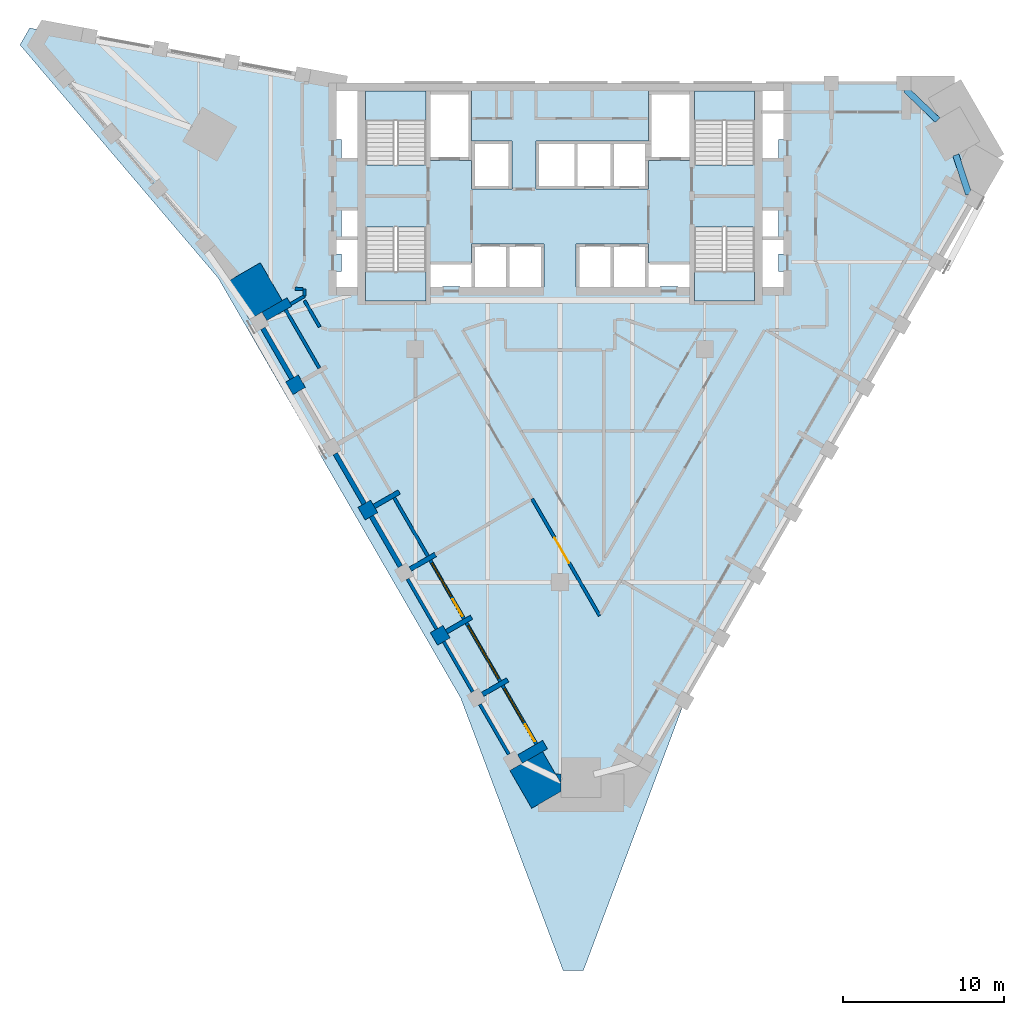
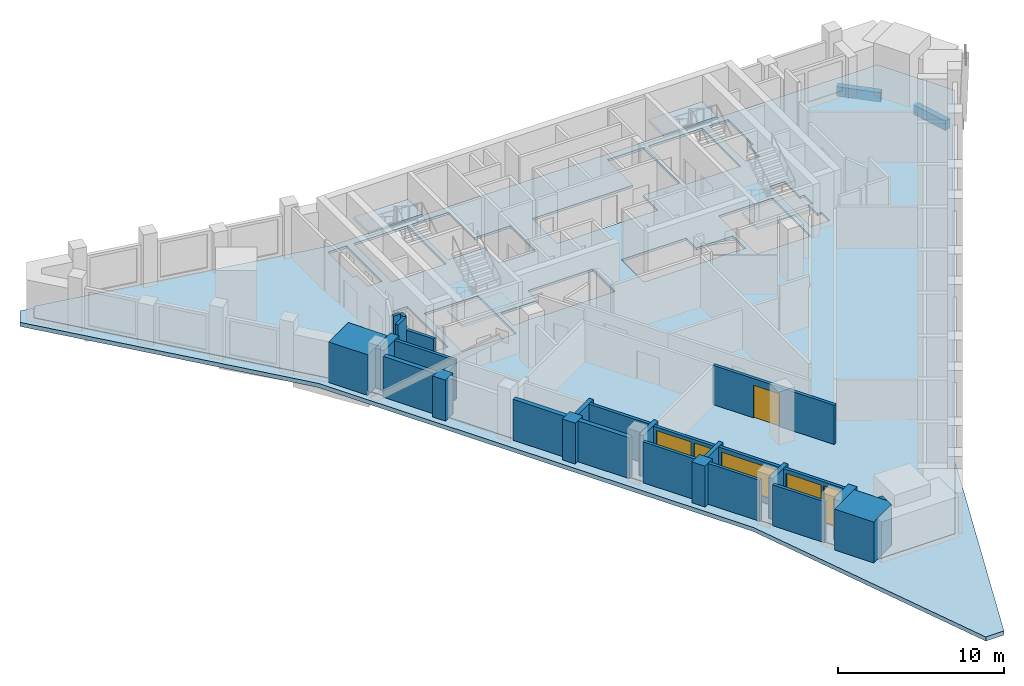
# One storey, part 2 of 9: 28 walls, 6 slabs, 3 doors, 3 windows, 2 beams, 6 openings, 4 elements without a shape of their own.
"""IFC4 building model written with IfcOpenShell, lengths in metres."""

from ifc_helpers import new_model, si_unit, direction, frame, frame_2d, origin, origin_2d, place, context, subcontext, project, spatial, polyline, rectangle, outline, extrude, material, layer, layer_set, material_profile, profile_set, type_object, element, fill, aggregate, save


model = new_model("IFC4")

# Units and contexts
model_context = context("Model", 3, precision=1e-05, world=origin(), true_north=direction((0.0, 1.0)))
body_context = subcontext(model_context, "Body", "Model", "MODEL_VIEW")
ifc_project = project(units=[si_unit("LENGTHUNIT", "METRE"), si_unit("AREAUNIT", "SQUARE_METRE"), si_unit("VOLUMEUNIT", "CUBIC_METRE"), si_unit("PLANEANGLEUNIT", "RADIAN"), si_unit("MASSUNIT", "GRAM", prefix="KILO")], contexts=[model_context])

# Site, building, storey
site_placement = place(None, origin())
site = spatial("IfcSite", under=ifc_project, at=site_placement, CompositionType="ELEMENT")
building_placement = place(site_placement, origin())
building = spatial("IfcBuilding", under=site, at=building_placement, Name="Calabash Gate Tower", CompositionType="ELEMENT")
storey_placement = place(building_placement, frame((0.0, 0.0, 196.39990234375)))
storey = spatial("IfcBuildingStorey", under=building, at=storey_placement, Name="L46", CompositionType="ELEMENT", Elevation=196.39990234375)

# Beams
ifc_material_1 = material(Name="Concrete C50/60", Category="concrete")
ifc_material_profile = material_profile(ifc_material_1, rectangle(XDim=0.39990234375, YDim=0.699951171875, at=origin_2d()))
ifc_profile_set = profile_set([ifc_material_profile], Name="Concrete C50/60")
beam_type = type_object("IfcBeamType", Name="Edge beam RC 400x700 Concrete C50/60", PredefinedType="BEAM", material=ifc_profile_set)
beam_1_placement = place(storey_placement, frame((25.419921875, 12.14111328125, -0.52001953125), z_axis=(-0.310682629093, 0.950513705309, 0.0), x_axis=(-0.950513705309, -0.310682629093, 0.0)))
element("IfcBeam", 1, at=beam_1_placement, inside=storey, type_object=beam_type, Name="Edge beam L46 11", PredefinedType="BEAM", context=body_context, shape_type="SweptSolid", body=[
    extrude(rectangle(XDim=0.39990234375, YDim=0.699951171875, at=origin_2d()), origin(), (0.0, 0.0, 1.0), 2.56494140625),
])
beam_2_placement = place(storey_placement, frame((23.488037109375, 16.75390625, -0.52001953125), z_axis=(-0.722273899938, 0.691607123639, 0.0), x_axis=(-0.691607123639, -0.722273899938, 0.0)))
element("IfcBeam", 2, at=beam_2_placement, inside=storey, type_object=beam_type, Name="Edge beam L46 12", PredefinedType="BEAM", context=body_context, shape_type="SweptSolid", body=[
    extrude(rectangle(XDim=0.39990234375, YDim=0.699951171875, at=origin_2d()), origin(), (0.0, 0.0, 1.0), 2.738525390625),
])

# Slabs
ifc_material_2 = material(Name="Concrete C40/50", Category="concrete")
ifc_layer_1 = layer(ifc_material_2, 0.169921875)
ifc_layer_set_1 = layer_set([ifc_layer_1], Name="Composite floor slab 170 Concrete C40/50")
slab_type_1 = type_object("IfcSlabType", Name="Composite floor slab 170 Concrete C40/50", PredefinedType="FLOOR", material=ifc_layer_set_1)
slab_1_placement = place(storey_placement, frame((0.0, 0.0, -0.169921875)))
element("IfcSlab", 3, at=slab_1_placement, inside=storey, type_object=slab_type_1, Name="Floor slab L46", PredefinedType="FLOOR", context=body_context, shape_type="SweptSolid", body=[
    extrude(outline(polyline([(3.99267578125, -25.83984375), (-1.372314453125, -25.83984375), (-20.291015625, 6.92822265625), (-32.620361328125, 21.43115234375), (-32.015625, 22.478515625), (-13.291015625, 19.052490234375), (24.54638671875, 19.052490234375), (27.22900390625, 14.40625), (3.99267578125, -25.83984375)]), holes=[polyline([(-7.324951171875, 6.3525390625), (-7.324951171875, 6.402587890625), (-6.22509765625, 6.402587890625), (-6.22509765625, 6.3525390625), (-5.5, 6.3525390625), (-3.25, 6.3525390625), (-1.0, 6.3525390625), (-1.0, 9.052490234375), (-3.25, 9.052490234375), (-5.5, 9.052490234375), (-5.5, 7.8525390625), (-8.050048828125, 7.8525390625), (-8.050048828125, 6.3525390625), (-7.324951171875, 6.3525390625)]), polyline([(8.050048828125, 6.3525390625), (8.050048828125, 7.8525390625), (5.5, 7.8525390625), (5.5, 9.052490234375), (3.25, 9.052490234375), (1.0, 9.052490234375), (1.0, 6.3525390625), (3.25, 6.3525390625), (5.5, 6.3525390625), (6.22509765625, 6.3525390625), (6.22509765625, 6.402587890625), (7.324951171875, 6.402587890625), (7.324951171875, 6.3525390625), (8.050048828125, 6.3525390625)]), polyline([(-8.050048828125, 18.552490234375), (-8.050048828125, 14.252685546875), (-5.5, 14.252685546875), (-5.5, 12.45263671875), (-3.0, 12.45263671875), (-3.0, 15.45263671875), (-5.5, 15.45263671875), (-5.5, 18.552490234375), (-8.050048828125, 18.552490234375)]), polyline([(5.5, 14.252685546875), (8.050048828125, 14.252685546875), (8.050048828125, 18.552490234375), (5.5, 18.552490234375), (5.5, 15.45263671875), (3.25, 15.45263671875), (1.0, 15.45263671875), (-1.5, 15.45263671875), (-1.5, 12.45263671875), (1.0, 12.45263671875), (3.25, 12.45263671875), (5.5, 12.45263671875), (5.5, 14.252685546875)]), polyline([(-12.10009765625, 13.95263671875), (-8.35009765625, 13.95263671875), (-8.35009765625, 18.552490234375), (-12.10009765625, 18.552490234375), (-12.10009765625, 13.95263671875)]), polyline([(-8.35009765625, 5.502685546875), (-8.35009765625, 10.1025390625), (-12.10009765625, 10.1025390625), (-12.10009765625, 5.502685546875), (-8.35009765625, 5.502685546875)]), polyline([(12.10009765625, 18.552490234375), (8.35009765625, 18.552490234375), (8.35009765625, 13.95263671875), (12.10009765625, 13.95263671875), (12.10009765625, 18.552490234375)]), polyline([(8.35009765625, 10.1025390625), (8.35009765625, 5.502685546875), (12.10009765625, 5.502685546875), (12.10009765625, 10.1025390625), (8.35009765625, 10.1025390625)]), polyline([(-13.89990234375, 6.3525390625), (-12.60009765625, 6.3525390625), (-12.60009765625, 9.402587890625), (-12.60009765625, 11.232666015625), (-13.60009765625, 11.232666015625), (-13.60009765625, 9.402587890625), (-13.89990234375, 9.402587890625), (-13.89990234375, 8.427490234375), (-13.60009765625, 8.427490234375), (-13.60009765625, 7.32763671875), (-13.89990234375, 7.32763671875), (-13.89990234375, 6.3525390625)]), polyline([(-13.60009765625, 14.28271484375), (-12.60009765625, 14.28271484375), (-12.60009765625, 18.552490234375), (-13.89990234375, 18.552490234375), (-13.89990234375, 15.550048828125), (-13.60009765625, 15.550048828125), (-13.60009765625, 14.28271484375)]), polyline([(13.60009765625, 7.32763671875), (13.60009765625, 8.427490234375), (13.89990234375, 8.427490234375), (13.89990234375, 9.402587890625), (13.60009765625, 9.402587890625), (13.60009765625, 11.232666015625), (12.60009765625, 11.232666015625), (12.60009765625, 9.402587890625), (12.60009765625, 6.3525390625), (13.89990234375, 6.3525390625), (13.89990234375, 7.32763671875), (13.60009765625, 7.32763671875)]), polyline([(12.60009765625, 14.28271484375), (13.60009765625, 14.28271484375), (13.60009765625, 15.550048828125), (13.89990234375, 15.550048828125), (13.89990234375, 18.552490234375), (12.60009765625, 18.552490234375), (12.60009765625, 14.28271484375)])]), origin(), (0.0, 0.0, 1.0), 0.169921875),
])
ifc_material_3 = material(Name="Concrete C40/50", Category="concrete")
ifc_layer_2 = layer(ifc_material_3, 0.300048828125)
ifc_layer_set_2 = layer_set([ifc_layer_2], Name="Reinforced concrete roof slab 300 Concrete C40/50")
slab_type_2 = type_object("IfcSlabType", Name="Reinforced concrete roof slab 300 Concrete C40/50", PredefinedType="ROOF", material=ifc_layer_set_2)
slab_2_placement = place(storey_placement, frame((0.0, 0.0, -0.2998046875)))
element("IfcSlab", 4, at=slab_2_placement, inside=storey, type_object=slab_type_2, Name="Roof slab L45 1", PredefinedType="ROOF", context=body_context, shape_type="SweptSolid", body=[
    extrude(outline(polyline([(1.455078125, -36.147216796875), (0.1884765625, -36.147216796875), (-6.17822265625, -19.207763671875), (-21.267822265625, 6.92822265625), (-33.59716796875, 21.43115234375), (-32.992431640625, 22.478515625), (-32.129638671875, 22.32080078125), (-32.637451171875, 21.441162109375), (-32.638427734375, 21.439453125), (-32.63916015625, 21.437744140625), (-32.6396484375, 21.435791015625), (-32.64013671875, 21.43408203125), (-32.64013671875, 21.43212890625), (-32.64013671875, 21.43017578125), (-32.64013671875, 21.428466796875), (-32.6396484375, 21.426513671875), (-32.63916015625, 21.4248046875), (-32.638427734375, 21.423095703125), (-32.6376953125, 21.42138671875), (-32.63671875, 21.419677734375), (-32.635498046875, 21.418212890625), (-20.307373046875, 6.916748046875), (-1.3896484375, -25.849853515625), (-1.388427734375, -25.8515625), (-1.387451171875, -25.85302734375), (-1.385986328125, -25.8544921875), (-1.384521484375, -25.855712890625), (-1.383056640625, -25.856689453125), (-1.38134765625, -25.857666015625), (-1.379638671875, -25.8583984375), (-1.3779296875, -25.859130859375), (-1.3759765625, -25.859619140625), (-1.3740234375, -25.85986328125), (-1.372314453125, -25.85986328125), (3.99267578125, -25.85986328125), (3.99462890625, -25.85986328125), (3.99658203125, -25.859619140625), (3.99853515625, -25.859130859375), (4.000244140625, -25.8583984375), (4.001953125, -25.857666015625), (4.003662109375, -25.856689453125), (4.005126953125, -25.855712890625), (4.006591796875, -25.8544921875), (4.0078125, -25.85302734375), (4.009033203125, -25.8515625), (4.010009765625, -25.849853515625), (7.77880859375, -19.322509765625), (1.455078125, -36.147216796875)])), origin(), (0.0, 0.0, 1.0), 0.2998046875),
])

# Stair, slab
ifc_material_4 = material(Name="Concrete C40/50", Category="concrete")
stair_type = type_object("IfcStairType", Name="Exit stair 22 risers of 177.3 mm", PredefinedType="HALF_TURN_STAIR", material=ifc_material_4)
stair_1_placement = place(storey_placement, origin())
stair_1 = element("IfcStair", 5, at=stair_1_placement, inside=storey, type_object=stair_type, Name="L46 Exit stair ST1", PredefinedType="HALF_TURN_STAIR")
ifc_material_5 = material(Name="Concrete C40/50", Category="concrete")
ifc_layer_3 = layer(ifc_material_5, 0.199951171875)
ifc_layer_set_3 = layer_set([ifc_layer_3], Name="Stair landing SL200")
slab_type_3 = type_object("IfcSlabType", Name="Stair landing SL200", PredefinedType="LANDING", material=ifc_layer_set_3)
slab_3_placement = place(storey_placement, frame((0.0, 0.0, 1.75)))
slab_3 = element("IfcSlab", 6, at=slab_3_placement, type_object=slab_type_3, Name="ST1 landing 1", PredefinedType="LANDING", context=body_context, shape_type="SweptSolid", body=[
    extrude(outline(polyline([(-8.35009765625, 16.74267578125), (-8.35009765625, 18.552490234375), (-12.10009765625, 18.552490234375), (-12.10009765625, 16.74267578125), (-8.35009765625, 16.74267578125)])), origin(), (0.0, 0.0, 1.0), 0.2001953125),
])
aggregate(stair_1, [slab_3])

stair_2_placement = place(storey_placement, origin())
stair_2 = element("IfcStair", 7, at=stair_2_placement, inside=storey, type_object=stair_type, Name="L46 Exit stair ST2", PredefinedType="HALF_TURN_STAIR")
slab_4_placement = place(storey_placement, frame((0.0, 0.0, 1.75)))
slab_4 = element("IfcSlab", 8, at=slab_4_placement, type_object=slab_type_3, Name="ST2 landing 1", PredefinedType="LANDING", context=body_context, shape_type="SweptSolid", body=[
    extrude(outline(polyline([(-12.10009765625, 7.3125), (-12.10009765625, 5.502685546875), (-8.35009765625, 5.502685546875), (-8.35009765625, 7.3125), (-12.10009765625, 7.3125)])), origin(), (0.0, 0.0, 1.0), 0.2001953125),
])
aggregate(stair_2, [slab_4])

stair_3_placement = place(storey_placement, origin())
stair_3 = element("IfcStair", 9, at=stair_3_placement, inside=storey, type_object=stair_type, Name="L46 Exit stair ST3", PredefinedType="HALF_TURN_STAIR")
slab_5_placement = place(storey_placement, frame((0.0, 0.0, 1.75)))
slab_5 = element("IfcSlab", 10, at=slab_5_placement, type_object=slab_type_3, Name="ST3 landing 1", PredefinedType="LANDING", context=body_context, shape_type="SweptSolid", body=[
    extrude(outline(polyline([(12.10009765625, 16.74267578125), (12.10009765625, 18.552490234375), (8.35009765625, 18.552490234375), (8.35009765625, 16.74267578125), (12.10009765625, 16.74267578125)])), origin(), (0.0, 0.0, 1.0), 0.2001953125),
])
aggregate(stair_3, [slab_5])

stair_4_placement = place(storey_placement, origin())
stair_4 = element("IfcStair", 11, at=stair_4_placement, inside=storey, type_object=stair_type, Name="L46 Exit stair ST4", PredefinedType="HALF_TURN_STAIR")
slab_6_placement = place(storey_placement, frame((0.0, 0.0, 1.75)))
slab_6 = element("IfcSlab", 12, at=slab_6_placement, type_object=slab_type_3, Name="ST4 landing 1", PredefinedType="LANDING", context=body_context, shape_type="SweptSolid", body=[
    extrude(outline(polyline([(8.35009765625, 7.3125), (8.35009765625, 5.502685546875), (12.10009765625, 5.502685546875), (12.10009765625, 7.3125), (8.35009765625, 7.3125)])), origin(), (0.0, 0.0, 1.0), 0.2001953125),
])
aggregate(stair_4, [slab_6])

# Walls
ifc_material_6 = material(Name="Terracotta brick masonry, exposed face", Category="masonry")
ifc_layer_4 = layer(ifc_material_6, 2.35009765625)
ifc_layer_set_4 = layer_set([ifc_layer_4], Name="Brick corner mass wall 2350")
wall_type_1 = type_object("IfcWallType", Name="Brick corner mass wall 2350", PredefinedType="SOLIDWALL", material=ifc_layer_set_4)
wall_1_placement = place(storey_placement, origin())
element("IfcWall", 13, at=wall_1_placement, inside=storey, type_object=wall_type_1, Name="Brick corner pier S13 1", PredefinedType="SOLIDWALL", context=body_context, shape_type="SweptSolid", body=[
    extrude(outline(polyline([(-20.6806640625, 6.703125), (-19.3212890625, 4.348876953125), (-18.542236328125, 4.798828125), (-18.542236328125, 4.798583984375), (-17.2861328125, 5.523681640625), (-18.6455078125, 7.878173828125), (-20.6806640625, 6.703125)])), origin(), (0.0, 0.0, 1.0), 2.9736328125),
])
wall_2_placement = place(storey_placement, origin())
element("IfcWall", 14, at=wall_2_placement, inside=storey, type_object=wall_type_1, Name="Brick corner pier S13 2a", PredefinedType="SOLIDWALL", context=body_context, shape_type="SweptSolid", body=[
    extrude(outline(polyline([(0.06005859375, -24.520751953125), (-1.086181640625, -22.535400390625), (-3.121337890625, -23.71044921875), (-1.761962890625, -26.06494140625), (0.06005859375, -25.012939453125), (0.06005859375, -24.520751953125)])), origin(), (0.0, 0.0, 1.0), 3.0),
])
wall_3_placement = place(storey_placement, origin())
element("IfcWall", 15, at=wall_3_placement, inside=storey, type_object=wall_type_1, Name="Brick corner pier S13 2bb", PredefinedType="SOLIDWALL", context=body_context, shape_type="SweptSolid", body=[
    extrude(outline(polyline([(-0.275390625, -23.93994140625), (0.06005859375, -24.520751953125), (0.06005859375, -23.93994140625), (-0.275390625, -23.93994140625)])), origin(), (0.0, 0.0, 1.0), 3.0),
])
ifc_material_7 = material(Name="Terracotta brick masonry, exposed face", Category="masonry")
ifc_layer_5 = layer(ifc_material_7, 0.89990234375)
ifc_layer_set_5 = layer_set([ifc_layer_5], Name="Brick end wall 900")
wall_type_2 = type_object("IfcWallType", Name="Brick end wall 900", PredefinedType="SOLIDWALL", material=ifc_layer_set_5)
for number, where, z_axis, x_axis, name in (
    (16, (-16.06689453125, 0.511962890625, 0.0), (0.0, 0.0, 1.0), (-0.866013897511, -0.50001992892, 0.0), "Brick pier S13 SW0.1"),
    (17, (-12.181640625, -7.11767578125, 0.0), (0.0, 0.0, 1.0), (0.50001992892, -0.866013897511, 0.0), "Brick pier S13 SW0.3"),
    (18, (-7.06689453125, -15.07666015625, 0.0), (0.0, 0.0, 1.0), (-0.866013897511, -0.50001992892, 0.0), "Brick pier S13 SW0.5"),
):
    element("IfcWall", number, at=place(storey_placement, frame(where, z_axis=z_axis, x_axis=x_axis)), inside=storey, type_object=wall_type_2, Name=name, PredefinedType="SOLIDWALL", context=body_context, shape_type="SweptSolid", body=[
        extrude(rectangle(XDim=0.89990234375, YDim=0.89990234375, at=frame_2d((0.449951171875, 0.0))), origin(), (0.0, 0.0, 1.0), 3.0),
    ])
ifc_material_8 = material(Name="Terracotta brick masonry, exposed face", Category="masonry")
ifc_layer_6 = layer(ifc_material_8, 0.300048828125)
ifc_layer_set_6 = layer_set([ifc_layer_6], Name="Brick infill panel wall 300")
wall_type_3 = type_object("IfcWallType", Name="Brick infill panel wall 300", PredefinedType="SOLIDWALL", material=ifc_layer_set_6)
wall_4_placement = place(storey_placement, frame((-18.481689453125, 3.79443359375, 0.0), z_axis=(0.0, 0.0, 1.0), x_axis=(0.499982693035, -0.866035395735, 0.0)))
element("IfcWall", 19, at=wall_4_placement, inside=storey, type_object=wall_type_3, Name="Brick panel S13 SW0.1", PredefinedType="SOLIDWALL", context=body_context, shape_type="SweptSolid", body=[
    extrude(rectangle(XDim=3.600341796875, YDim=0.300048828125, at=frame_2d((1.80029296875, 0.0))), origin(), (0.0, 0.0, 1.0), 3.0),
])
wall_5_placement = place(storey_placement, frame((-13.981689453125, -4.0, 0.0), z_axis=(0.0, 0.0, 1.0), x_axis=(0.500012057535, -0.866018442252, 0.0)))
element("IfcWall", 20, at=wall_5_placement, inside=storey, type_object=wall_type_3, Name="Brick panel S13 SW0.3", PredefinedType="SOLIDWALL", context=body_context, shape_type="SweptSolid", body=[
    extrude(rectangle(XDim=3.60009765625, YDim=0.300048828125, at=frame_2d((1.800048828125, 0.0))), origin(), (0.0, 0.0, 1.0), 3.0),
])
wall_6_placement = place(storey_placement, frame((-9.931884765625, -11.01416015625, 0.0), z_axis=(0.0, 0.0, 1.0), x_axis=(-0.50001992892, 0.866013897511, 0.0)))
element("IfcWall", 21, at=wall_6_placement, inside=storey, type_object=wall_type_3, Name="Brick panel S13 SW0.4", PredefinedType="SOLIDWALL", context=body_context, shape_type="SweptSolid", body=[
    extrude(rectangle(XDim=3.599365234375, YDim=0.300048828125, at=frame_2d((1.7998046875, 0.0))), origin(), (0.0, 0.0, 1.0), 3.0),
])
ifc_material_9 = material(Name="Terracotta brick masonry, exposed face", Category="masonry")
ifc_layer_7 = layer(ifc_material_9, 0.300048828125)
ifc_layer_set_7 = layer_set([ifc_layer_7], Name="Brick loggia cheek wall 300")
wall_type_4 = type_object("IfcWallType", Name="Brick loggia cheek wall 300", PredefinedType="SOLIDWALL", material=ifc_layer_set_7)
wall_7_placement = place(storey_placement, frame((-16.8330078125, 5.43896484375, 0.0), z_axis=(0.0, 0.0, 1.0), x_axis=(-0.865989075817, -0.500062916607, 0.0)))
element("IfcWall", 22, at=wall_7_placement, inside=storey, type_object=wall_type_4, Name="Loggia cheek S13 SW0.0", PredefinedType="SOLIDWALL", context=body_context, shape_type="SweptSolid", body=[
    extrude(rectangle(XDim=1.800048828125, YDim=0.60009765625, at=frame_2d((0.89990234375, 0.0))), origin(), (0.0, 0.0, 1.0), 2.9501953125),
])
for number, where, z_axis, x_axis, name in (
    (23, (-11.56689453125, -7.2822265625, 0.0), (0.0, 0.0, 1.0), (0.866047807691, 0.499961193289, 0.0), "Loggia cheek S13 SW0.3"),
    (24, (-9.31689453125, -11.179443359375, 0.0), (0.0, 0.0, 1.0), (0.866047807691, 0.499961193289, 0.0), "Loggia cheek S13 SW0.4"),
    (25, (-7.06689453125, -15.07666015625, 0.0), (0.0, 0.0, 1.0), (0.865989075817, 0.500062916607, 0.0), "Loggia cheek S13 SW0.5"),
    (26, (-4.81689453125, -18.9736328125, 0.0), (0.0, 0.0, 1.0), (0.866047807691, 0.499961193289, 0.0), "Loggia cheek S13 SW0.6"),
):
    element("IfcWall", number, at=place(storey_placement, frame(where, z_axis=z_axis, x_axis=x_axis)), inside=storey, type_object=wall_type_4, Name=name, PredefinedType="SOLIDWALL", context=body_context, shape_type="SweptSolid", body=[
        extrude(rectangle(XDim=1.800048828125, YDim=0.300048828125, at=frame_2d((0.89990234375, 0.0))), origin(), (0.0, 0.0, 1.0), 3.0),
    ])
wall_8_placement = place(storey_placement, frame((-2.491943359375, -23.000732421875, 0.0), z_axis=(0.0, 0.0, 1.0), x_axis=(0.865989075817, 0.500062916607, 0.0)))
element("IfcWall", 27, at=wall_8_placement, inside=storey, type_object=wall_type_4, Name="Loggia cheek S13 SW0.7", PredefinedType="SOLIDWALL", context=body_context, shape_type="SweptSolid", body=[
    extrude(rectangle(XDim=1.800048828125, YDim=0.60009765625, at=frame_2d((0.89990234375, 0.0))), origin(), (0.0, 0.0, 1.0), 3.0),
])

# Wall, opening, door
ifc_material_10 = material(Name="Gypsum board on steel studs, mineral wool", Category="steel")
ifc_layer_8 = layer(ifc_material_10, 0.199951171875)
ifc_layer_set_8 = layer_set([ifc_layer_8], Name="Partition 200 gypsum board EI 60")
wall_type_5 = type_object("IfcWallType", Name="Partition 200 gypsum board EI 60", PredefinedType="PARTITIONING", material=ifc_layer_set_8)
wall_9_placement = place(storey_placement, frame((-1.740478515625, -6.805908203125, 0.0), z_axis=(0.0, 0.0, 1.0), x_axis=(0.500136329277, -0.865946679731, 0.0)))
wall_9 = element("IfcWall", 28, at=wall_9_placement, inside=storey, type_object=wall_type_5, Name="Partition", PredefinedType="PARTITIONING", context=body_context, shape_type="SweptSolid", body=[
    extrude(rectangle(XDim=8.407958984375, YDim=0.199951171875, at=frame_2d((4.2041015625, 0.0))), origin(), (0.0, 0.0, 1.0), 2.88427734375),
])
opening_1_placement = place(wall_9_placement, frame((2.803955078125, 0.0, 0.0)))
opening_1 = element("IfcOpeningElement", 29, at=opening_1_placement, cuts=wall_9, Name="Opening 46-48-012", PredefinedType="OPENING", context=body_context, shape_type="SweptSolid", body=[
    extrude(rectangle(XDim=1.800048828125, YDim=2.39990234375, at=frame_2d((0.89990234375, 1.199951171875))), frame((0.0, 0.10986328125, 0.0), z_axis=(0.0, -1.0, 0.0), x_axis=(1.0, 0.0, 0.0)), (0.0, 0.0, 1.0), 0.219970703125),
])
ifc_material_11 = material(Name="Steel fire door set with fire-resisting glazing", Category="steel")
door_type_1 = type_object("IfcDoorType", Name="OD5 Open office double door 1800x2400", OperationType="NOTDEFINED", PredefinedType="DOOR", material=ifc_material_11)
door_1_placement = place(opening_1_placement, origin())
door_1 = element("IfcDoor", 30, at=door_1_placement, inside=storey, type_object=door_type_1, Name="Open office double door", OperationType="DOUBLE_DOOR_SINGLE_SWING", OverallHeight=2.39990234375, OverallWidth=1.800048828125, PredefinedType="DOOR", context=body_context, shape_type="SweptSolid", body=[
    extrude(rectangle(XDim=1.800048828125, YDim=2.39990234375, at=frame_2d((0.89990234375, 1.199951171875))), frame((0.0, 0.02490234375, 0.0), z_axis=(0.0, -1.0, 0.0), x_axis=(1.0, 0.0, 0.0)), (0.0, 0.0, 1.0), 0.050048828125),
])
fill(opening_1, door_1)

# Walls
wall_10_placement = place(storey_placement, frame((-15.900390625, 5.522705078125, 0.0), z_axis=(0.0, 0.0, 1.0), x_axis=(0.499998034377, -0.866026538634, 0.0)))
element("IfcWall", 31, at=wall_10_placement, inside=storey, type_object=wall_type_5, Name="Partition", PredefinedType="PARTITIONING", context=body_context, shape_type="SweptSolid", body=[
    extrude(rectangle(XDim=1.8916015625, YDim=0.199951171875, at=frame_2d((0.94580078125, 0.0))), origin(), (0.0, 0.0, 1.0), 2.9501953125),
])
wall_11_placement = place(storey_placement, frame((-15.904296875, 6.251953125, 0.0), z_axis=(0.0, 0.0, 1.0), x_axis=(0.00490992445, -0.999987946248, 0.0)))
element("IfcWall", 32, at=wall_11_placement, inside=storey, type_object=wall_type_5, Name="Partition", PredefinedType="PARTITIONING", context=body_context, shape_type="SweptSolid", body=[
    extrude(rectangle(XDim=0.447509765625, YDim=0.199951171875, at=frame_2d((0.2236328125, 0.0))), origin(), (0.0, 0.0, 1.0), 3.72998046875),
])
wall_12_placement = place(storey_placement, frame((-16.7578125, 5.308837890625, 0.0), z_axis=(0.0, 0.0, 1.0), x_axis=(0.866948968756, 0.498396915694, 0.0)))
element("IfcWall", 33, at=wall_12_placement, inside=storey, type_object=wall_type_5, Name="Partition", PredefinedType="PARTITIONING", context=body_context, shape_type="SweptSolid", body=[
    extrude(rectangle(XDim=0.989013671875, YDim=0.199951171875, at=frame_2d((0.49462890625, 0.0))), origin(), (0.0, 0.0, 1.0), 3.72998046875),
])
wall_13_placement = place(storey_placement, frame((-16.50048828125, 6.25244140625, 0.0), z_axis=(0.0, 0.0, 1.0), x_axis=(0.999999880791, -0.000488281192, 0.0)))
element("IfcWall", 34, at=wall_13_placement, inside=storey, type_object=wall_type_5, Name="Partition", PredefinedType="PARTITIONING", context=body_context, shape_type="SweptSolid", body=[
    extrude(rectangle(XDim=0.5, YDim=0.199951171875, at=frame_2d((0.25, 0.0))), origin(), (0.0, 0.0, 1.0), 3.72998046875),
])
ifc_material_12 = material(Name="Terracotta brick masonry, perforated", Category="masonry")
ifc_layer_9 = layer(ifc_material_12, 0.199951171875)
ifc_layer_set_9 = layer_set([ifc_layer_9], Name="Terracotta jaali screen A")
wall_type_6 = type_object("IfcWallType", Name="Terracotta jaali screen A", PredefinedType="SOLIDWALL", material=ifc_layer_set_9)
for number, where, z_axis, x_axis, name in (
    (35, (-9.481689453125, -11.794189453125, 0.0), (0.0, 0.0, 1.0), (0.500012057535, -0.866018442252, 0.0), "SCREEN A S13 SW0.5"),
    (36, (-7.231689453125, -15.691162109375, 0.0), (0.0, 0.0, 1.0), (0.500012057535, -0.866018442252, 0.0), "SCREEN A S13 SW0.6"),
    (37, (-4.981689453125, -19.58837890625, 0.0), (0.0, 0.0, 1.0), (0.500012057535, -0.866018442252, 0.0), "SCREEN A S13 SW0.7"),
):
    element("IfcWall", number, at=place(storey_placement, frame(where, z_axis=z_axis, x_axis=x_axis)), inside=storey, type_object=wall_type_6, Name=name, PredefinedType="SOLIDWALL", context=body_context, shape_type="SweptSolid", body=[
        extrude(rectangle(XDim=3.60009765625, YDim=0.199951171875, at=frame_2d((1.800048828125, 0.0))), origin(), (0.0, 0.0, 1.0), 3.0),
    ])
ifc_material_13 = material(Name="Aluminium framed window wall with insulated spandrel", Category="aluminium")
ifc_layer_10 = layer(ifc_material_13, 0.199951171875)
ifc_layer_set_10 = layer_set([ifc_layer_10], Name="Window wall 200")
wall_type_7 = type_object("IfcWallType", Name="Window wall 200", PredefinedType="ELEMENTEDWALL", material=ifc_layer_set_10)
wall_14_placement = place(storey_placement, frame((-17.07275390625, 4.9541015625, 0.0), z_axis=(0.0, 0.0, 1.0), x_axis=(0.500027713859, -0.866009402589, 0.0)))
element("IfcWall", 38, at=wall_14_placement, inside=storey, type_object=wall_type_7, Name="Window wall S13 SW0.1", PredefinedType="ELEMENTEDWALL", context=body_context, shape_type="SweptSolid", body=[
    extrude(rectangle(XDim=4.199951171875, YDim=0.199951171875, at=frame_2d((2.10009765625, 0.0))), origin(), (0.0, 0.0, 1.0), 2.9501953125),
])
wall_15_placement = place(storey_placement, frame((-10.32275390625, -6.7373046875, 0.0), z_axis=(0.0, 0.0, 1.0), x_axis=(0.500027713859, -0.866009402589, 0.0)))
element("IfcWall", 39, at=wall_15_placement, inside=storey, type_object=wall_type_7, Name="Window wall S13 SW0.4", PredefinedType="ELEMENTEDWALL", context=body_context, shape_type="SweptSolid", body=[
    extrude(rectangle(XDim=4.199951171875, YDim=0.199951171875, at=frame_2d((2.10009765625, 0.0))), origin(), (0.0, 0.0, 1.0), 3.0),
])

# Wall, openings, door, window
wall_16_placement = place(storey_placement, frame((-8.07275390625, -10.63427734375, 0.0), z_axis=(0.0, 0.0, 1.0), x_axis=(0.500002543286, -0.866023935413, 0.0)))
wall_16 = element("IfcWall", 40, at=wall_16_placement, inside=storey, type_object=wall_type_7, Name="Window wall S13 SW0.5", PredefinedType="ELEMENTEDWALL", context=body_context, shape_type="SweptSolid", body=[
    extrude(rectangle(XDim=4.2001953125, YDim=0.199951171875, at=frame_2d((2.10009765625, 0.0))), origin(), (0.0, 0.0, 1.0), 2.9501953125),
])
opening_2_placement = place(wall_16_placement, frame((0.199951171875, 0.0, 0.449951171875)))
opening_2 = element("IfcOpeningElement", 41, at=opening_2_placement, cuts=wall_16, Name="Opening OW1", PredefinedType="OPENING", context=body_context, shape_type="SweptSolid", body=[
    extrude(rectangle(XDim=2.39990234375, YDim=2.25, at=frame_2d((1.199951171875, 1.125))), frame((0.0, 0.10986328125, 0.0), z_axis=(0.0, -1.0, 0.0), x_axis=(1.0, 0.0, 0.0)), (0.0, 0.0, 1.0), 0.219970703125),
])
opening_3_placement = place(wall_16_placement, frame((2.800048828125, 0.0, 0.0)))
opening_3 = element("IfcOpeningElement", 42, at=opening_3_placement, cuts=wall_16, Name="Opening O5-026", PredefinedType="OPENING", context=body_context, shape_type="SweptSolid", body=[
    extrude(rectangle(XDim=1.199951171875, YDim=2.699951171875, at=frame_2d((0.60009765625, 1.35009765625))), frame((0.0, 0.10986328125, 0.0), z_axis=(0.0, -1.0, 0.0), x_axis=(1.0, 0.0, 0.0)), (0.0, 0.0, 1.0), 0.219970703125),
])
ifc_material_14 = material(Name="Anodised aluminium frame, bronze finish, impact-rated laminated clear glazing", Category="aluminium")
door_type_2 = type_object("IfcDoorType", Name="Loggia door DO1 1200x2700", OperationType="SLIDING_TO_LEFT", PredefinedType="DOOR", material=ifc_material_14)
door_2_placement = place(opening_3_placement, origin())
door_2 = element("IfcDoor", 43, at=door_2_placement, inside=storey, type_object=door_type_2, Name="Loggia door S13 SW0.5", OperationType="SINGLE_SWING_LEFT", OverallHeight=2.699951171875, OverallWidth=1.199951171875, PredefinedType="DOOR", context=body_context, shape_type="SweptSolid", body=[
    extrude(rectangle(XDim=1.199951171875, YDim=2.699951171875, at=frame_2d((0.60009765625, 1.35009765625))), frame((0.0, 0.02490234375, 0.0), z_axis=(0.0, -1.0, 0.0), x_axis=(1.0, 0.0, 0.0)), (0.0, 0.0, 1.0), 0.050048828125),
])
fill(opening_3, door_2)
ifc_material_15 = material(Name="Anodised aluminium frame, bronze finish, impact-rated laminated clear glazing", Category="aluminium")
window_type_1 = type_object("IfcWindowType", Name="Window OW1 2400x2250", PartitioningType="DOUBLE_PANEL_VERTICAL", PredefinedType="WINDOW", material=ifc_material_15)
window_1_placement = place(opening_2_placement, origin())
window_1 = element("IfcWindow", 44, at=window_1_placement, inside=storey, type_object=window_type_1, Name="Window OW1 S13 SW0.5", OverallHeight=2.25, OverallWidth=2.39990234375, PartitioningType="SINGLE_PANEL", PredefinedType="WINDOW", context=body_context, shape_type="SweptSolid", body=[
    extrude(rectangle(XDim=2.39990234375, YDim=2.25, at=frame_2d((1.199951171875, 1.125))), frame((0.0, 0.030029296875, 0.0), z_axis=(0.0, -1.0, 0.0), x_axis=(1.0, 0.0, 0.0)), (0.0, 0.0, 1.0), 0.06005859375),
])
fill(opening_2, window_1)

# Wall, opening, window
wall_17_placement = place(storey_placement, frame((-5.82275390625, -14.531494140625, 0.0), z_axis=(0.0, 0.0, 1.0), x_axis=(0.500027713859, -0.866009402589, 0.0)))
wall_17 = element("IfcWall", 45, at=wall_17_placement, inside=storey, type_object=wall_type_7, Name="Window wall S13 SW0.6", PredefinedType="ELEMENTEDWALL", context=body_context, shape_type="SweptSolid", body=[
    extrude(rectangle(XDim=4.199951171875, YDim=0.199951171875, at=frame_2d((2.10009765625, 0.0))), origin(), (0.0, 0.0, 1.0), 3.0),
])
opening_4_placement = place(wall_17_placement, frame((0.199951171875, 0.0, 0.449951171875)))
opening_4 = element("IfcOpeningElement", 46, at=opening_4_placement, cuts=wall_17, Name="Opening OW2", PredefinedType="OPENING", context=body_context, shape_type="SweptSolid", body=[
    extrude(rectangle(XDim=3.800048828125, YDim=2.25, at=frame_2d((1.89990234375, 1.125))), frame((0.0, 0.10986328125, 0.0), z_axis=(0.0, -1.0, 0.0), x_axis=(1.0, 0.0, 0.0)), (0.0, 0.0, 1.0), 0.219970703125),
])
ifc_material_16 = material(Name="Anodised aluminium frame, bronze finish, impact-rated laminated clear glazing", Category="aluminium")
window_type_2 = type_object("IfcWindowType", Name="Window OW2 3800x2250", PartitioningType="TRIPLE_PANEL_VERTICAL", PredefinedType="WINDOW", material=ifc_material_16)
window_2_placement = place(opening_4_placement, origin())
window_2 = element("IfcWindow", 47, at=window_2_placement, inside=storey, type_object=window_type_2, Name="Window OW2 S13 SW0.6", OverallHeight=2.25, OverallWidth=3.800048828125, PartitioningType="SINGLE_PANEL", PredefinedType="WINDOW", context=body_context, shape_type="SweptSolid", body=[
    extrude(rectangle(XDim=3.800048828125, YDim=2.25, at=frame_2d((1.89990234375, 1.125))), frame((0.0, 0.030029296875, 0.0), z_axis=(0.0, -1.0, 0.0), x_axis=(1.0, 0.0, 0.0)), (0.0, 0.0, 1.0), 0.06005859375),
])
fill(opening_4, window_2)

# Wall, openings, door, window
wall_18_placement = place(storey_placement, frame((-3.57275390625, -18.428466796875, 0.0), z_axis=(0.0, 0.0, 1.0), x_axis=(0.500002543286, -0.866023935413, 0.0)))
wall_18 = element("IfcWall", 48, at=wall_18_placement, inside=storey, type_object=wall_type_7, Name="Window wall S13 SW0.7", PredefinedType="ELEMENTEDWALL", context=body_context, shape_type="SweptSolid", body=[
    extrude(rectangle(XDim=4.2001953125, YDim=0.199951171875, at=frame_2d((2.10009765625, 0.0))), origin(), (0.0, 0.0, 1.0), 3.0),
])
opening_5_placement = place(wall_18_placement, frame((0.199951171875, 0.0, 0.449951171875)))
opening_5 = element("IfcOpeningElement", 49, at=opening_5_placement, cuts=wall_18, Name="Opening OW1", PredefinedType="OPENING", context=body_context, shape_type="SweptSolid", body=[
    extrude(rectangle(XDim=2.39990234375, YDim=2.25, at=frame_2d((1.199951171875, 1.125))), frame((0.0, 0.10986328125, 0.0), z_axis=(0.0, -1.0, 0.0), x_axis=(1.0, 0.0, 0.0)), (0.0, 0.0, 1.0), 0.219970703125),
])
opening_6_placement = place(wall_18_placement, frame((2.800048828125, 0.0, 0.0)))
opening_6 = element("IfcOpeningElement", 50, at=opening_6_placement, cuts=wall_18, Name="Opening O5-027", PredefinedType="OPENING", context=body_context, shape_type="SweptSolid", body=[
    extrude(rectangle(XDim=1.199951171875, YDim=2.699951171875, at=frame_2d((0.60009765625, 1.35009765625))), frame((0.0, 0.10986328125, 0.0), z_axis=(0.0, -1.0, 0.0), x_axis=(1.0, 0.0, 0.0)), (0.0, 0.0, 1.0), 0.219970703125),
])
door_3_placement = place(opening_6_placement, origin())
door_3 = element("IfcDoor", 51, at=door_3_placement, inside=storey, type_object=door_type_2, Name="Loggia door S13 SW0.7", OperationType="SINGLE_SWING_LEFT", OverallHeight=2.699951171875, OverallWidth=1.199951171875, PredefinedType="DOOR", context=body_context, shape_type="SweptSolid", body=[
    extrude(rectangle(XDim=1.199951171875, YDim=2.699951171875, at=frame_2d((0.60009765625, 1.35009765625))), frame((0.0, 0.02490234375, 0.0), z_axis=(0.0, -1.0, 0.0), x_axis=(1.0, 0.0, 0.0)), (0.0, 0.0, 1.0), 0.050048828125),
])
fill(opening_6, door_3)
window_3_placement = place(opening_5_placement, origin())
window_3 = element("IfcWindow", 52, at=window_3_placement, inside=storey, type_object=window_type_1, Name="Window OW1 S13 SW0.7", OverallHeight=2.25, OverallWidth=2.39990234375, PartitioningType="SINGLE_PANEL", PredefinedType="WINDOW", context=body_context, shape_type="SweptSolid", body=[
    extrude(rectangle(XDim=2.39990234375, YDim=2.25, at=frame_2d((1.199951171875, 1.125))), frame((0.0, 0.030029296875, 0.0), z_axis=(0.0, -1.0, 0.0), x_axis=(1.0, 0.0, 0.0)), (0.0, 0.0, 1.0), 0.06005859375),
])
fill(opening_5, window_3)

save(model, "model.ifc")
